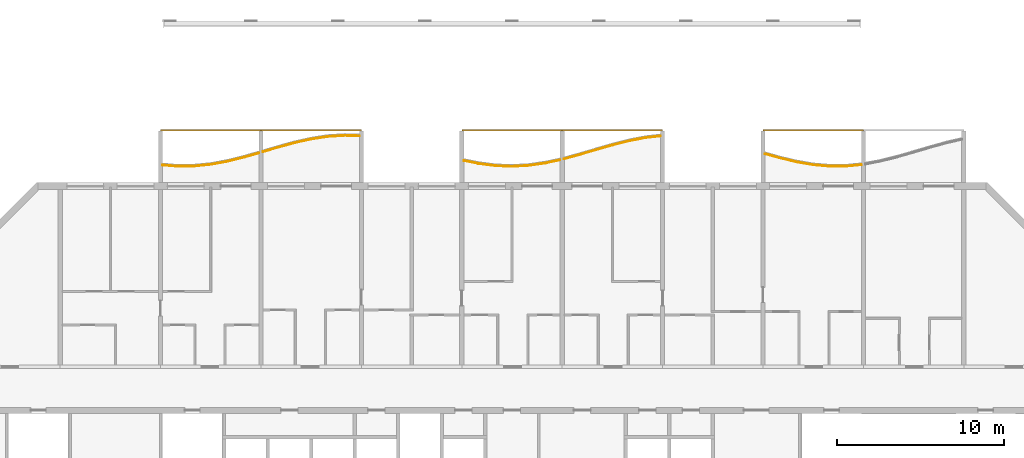
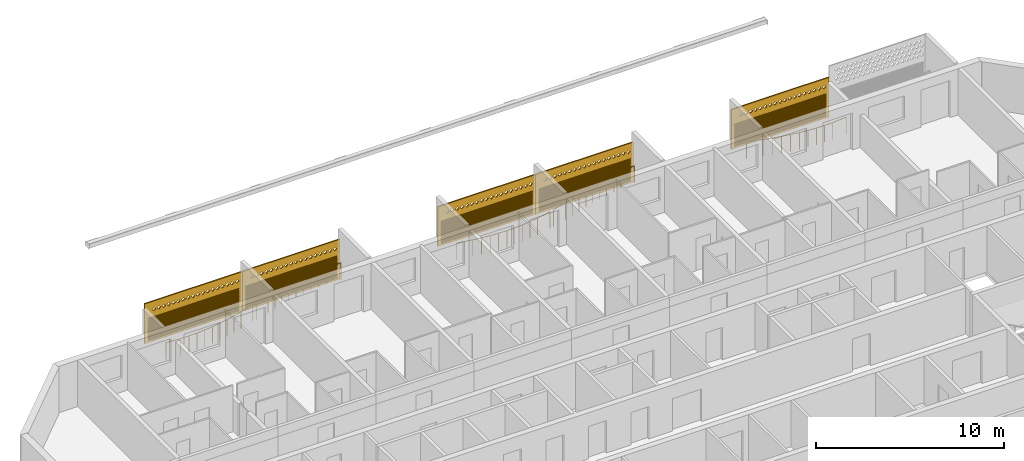
# One storey, part 18 of 20: 5 coverings, 5 railings.
"""IFC4 building model written with IfcOpenShell, lengths in metres."""

from ifc_helpers import new_model, si_unit, direction, frame, origin, origin_2d, place, context, subcontext, project, spatial, polyline, circle, outline, extrude, source, transform, mapped, material, material_profile, profile_set, type_object, element, save


model = new_model("IFC4")

# Units and contexts
model_context = context("Model", 3, precision=1e-05, world=origin(), true_north=direction((0.0, 1.0)))
body_context = subcontext(model_context, "Body", "Model", "MODEL_VIEW")
ifc_project = project(units=[si_unit("LENGTHUNIT", "METRE"), si_unit("AREAUNIT", "SQUARE_METRE"), si_unit("VOLUMEUNIT", "CUBIC_METRE"), si_unit("PLANEANGLEUNIT", "RADIAN"), si_unit("MASSUNIT", "GRAM", prefix="KILO")], contexts=[model_context])

# Site, building, storey
site_placement = place(None, origin())
site = spatial("IfcSite", under=ifc_project, at=site_placement, CompositionType="ELEMENT")
building_placement = place(site_placement, origin())
building = spatial("IfcBuilding", under=site, at=building_placement, Name="Poui Terraces", CompositionType="ELEMENT")
storey_placement = place(building_placement, frame((0.0, 0.0, 257.699951171875)))
storey = spatial("IfcBuildingStorey", under=building, at=storey_placement, Name="L72", CompositionType="ELEMENT", Elevation=257.699951171875)

# Railings
ifc_material_1 = material(Name="Painted steel fretwork", Category="steel")
railing_type = type_object("IfcRailingType", Name="BALCONY GUARD 1100", PredefinedType="GUARDRAIL", material=ifc_material_1)
railing_1_placement = place(storey_placement, frame((30.125, 42.448974609375, 0.0)))
element("IfcRailing", 1, at=railing_1_placement, inside=storey, type_object=railing_type, Name="BALCONY GUARD", PredefinedType="GUARDRAIL", context=body_context, shape_type="SweptSolid", body=[
    extrude(circle(Radius=0.02392578125, at=origin_2d()), frame((0.0, 0.0, 1.076171875), z_axis=(0.996764673802, -0.080375276431, 0.0), x_axis=(0.080375276431, 0.996764673802, 0.0)), (0.0, 0.0, 1.0), 0.8779296875),
    extrude(circle(Radius=0.02392578125, at=origin_2d()), frame((0.875, -0.070556640625, 1.076171875), z_axis=(0.999969483819, 0.007812261592, 0.0), x_axis=(-0.007812261592, 0.999969483819, 0.0)), (0.0, 0.0, 1.0), 1.0),
    extrude(circle(Radius=0.02392578125, at=origin_2d()), frame((1.875, -0.062744140625, 1.076171875), z_axis=(0.994882088655, 0.101042712129, 0.0), x_axis=(-0.101042712129, 0.994882088655, 0.0)), (0.0, 0.0, 1.0), 1.005126953125),
    extrude(circle(Radius=0.02392578125, at=origin_2d()), frame((2.875, 0.038818359375, 1.076171875), z_axis=(0.983390092547, 0.181504616691, 0.0), x_axis=(-0.181504616691, 0.983390092547, 0.0)), (0.0, 0.0, 1.0), 1.016845703125),
    extrude(circle(Radius=0.02392578125, at=origin_2d()), frame((3.875, 0.223388671875, 1.076171875), z_axis=(0.970476070643, 0.241197421854, 0.0), x_axis=(-0.241197421854, 0.970476070643, 0.0)), (0.0, 0.0, 1.0), 1.030517578125),
    extrude(circle(Radius=0.02392578125, at=origin_2d()), frame((4.875, 0.471923828125, 1.076171875), z_axis=(0.961453053843, 0.274969135097, 0.0), x_axis=(-0.274969135097, 0.961453053843, 0.0)), (0.0, 0.0, 1.0), 0.91015625),
    extrude(circle(Radius=0.02099609375, at=origin_2d()), origin(), (0.0, 0.0, 1.0), 1.052001953125),
    extrude(circle(Radius=0.02099609375, at=origin_2d()), frame((0.875, -0.070556640625, 0.0)), (0.0, 0.0, 1.0), 1.052001953125),
    extrude(circle(Radius=0.02099609375, at=origin_2d()), frame((1.375, -0.066650390625, 0.0)), (0.0, 0.0, 1.0), 1.052001953125),
    extrude(circle(Radius=0.02099609375, at=origin_2d()), frame((1.875, -0.062744140625, 0.0)), (0.0, 0.0, 1.0), 1.052001953125),
    extrude(circle(Radius=0.02099609375, at=origin_2d()), frame((2.375, -0.011962890625, 0.0)), (0.0, 0.0, 1.0), 1.052001953125),
    extrude(circle(Radius=0.02099609375, at=origin_2d()), frame((2.875, 0.038818359375, 0.0)), (0.0, 0.0, 1.0), 1.052001953125),
    extrude(circle(Radius=0.02099609375, at=origin_2d()), frame((3.375, 0.131103515625, 0.0)), (0.0, 0.0, 1.0), 1.052001953125),
    extrude(circle(Radius=0.02099609375, at=origin_2d()), frame((3.875, 0.223388671875, 0.0)), (0.0, 0.0, 1.0), 1.052001953125),
    extrude(circle(Radius=0.02099609375, at=origin_2d()), frame((4.375, 0.34765625, 0.0)), (0.0, 0.0, 1.0), 1.052001953125),
    extrude(circle(Radius=0.02099609375, at=origin_2d()), frame((4.875, 0.471923828125, 0.0)), (0.0, 0.0, 1.0), 1.052001953125),
    extrude(circle(Radius=0.02099609375, at=origin_2d()), frame((5.75, 0.72216796875, 0.0)), (0.0, 0.0, 1.0), 1.052001953125),
])
railing_2_placement = place(storey_placement, frame((36.125, 43.245361328125, 0.0)))
element("IfcRailing", 2, at=railing_2_placement, inside=storey, type_object=railing_type, Name="BALCONY GUARD", PredefinedType="GUARDRAIL", context=body_context, shape_type="SweptSolid", body=[
    extrude(circle(Radius=0.02392578125, at=origin_2d()), frame((0.0, 0.0, 1.076171875), z_axis=(0.958865561228, 0.283860591647, 0.0), x_axis=(-0.283860591647, 0.958865561228, 0.0)), (0.0, 0.0, 1.0), 0.91259765625),
    extrude(circle(Radius=0.02392578125, at=origin_2d()), frame((0.875, 0.259033203125, 1.076171875), z_axis=(0.964349713042, 0.264631122426, 0.0), x_axis=(-0.264631122426, 0.964349713042, 0.0)), (0.0, 0.0, 1.0), 1.036865234375),
    extrude(circle(Radius=0.02392578125, at=origin_2d()), frame((1.875, 0.533447265625, 1.076171875), z_axis=(0.975640353268, 0.219376163418, 0.0), x_axis=(-0.219376163418, 0.975640353268, 0.0)), (0.0, 0.0, 1.0), 1.02490234375),
    extrude(circle(Radius=0.02392578125, at=origin_2d()), frame((2.875, 0.75830078125, 1.076171875), z_axis=(0.988665614785, 0.15013428037, 0.0), x_axis=(-0.15013428037, 0.988665614785, 0.0)), (0.0, 0.0, 1.0), 1.011474609375),
    extrude(circle(Radius=0.02392578125, at=origin_2d()), frame((3.875, 0.91015625, 1.076171875), z_axis=(0.998006805525, 0.063106387361, 0.0), x_axis=(-0.063106387361, 0.998006805525, 0.0)), (0.0, 0.0, 1.0), 1.001953125),
    extrude(circle(Radius=0.02392578125, at=origin_2d()), frame((4.875, 0.973388671875, 1.076171875), z_axis=(0.999663503425, -0.025939929079, 0.0), x_axis=(0.025939929079, 0.999663503425, 0.0)), (0.0, 0.0, 1.0), 0.875244140625),
    extrude(circle(Radius=0.02099609375, at=origin_2d()), origin(), (0.0, 0.0, 1.0), 1.052001953125),
    extrude(circle(Radius=0.02099609375, at=origin_2d()), frame((0.875, 0.259033203125, 0.0)), (0.0, 0.0, 1.0), 1.052001953125),
    extrude(circle(Radius=0.02099609375, at=origin_2d()), frame((1.375, 0.396240234375, 0.0)), (0.0, 0.0, 1.0), 1.052001953125),
    extrude(circle(Radius=0.02099609375, at=origin_2d()), frame((1.875, 0.533447265625, 0.0)), (0.0, 0.0, 1.0), 1.052001953125),
    extrude(circle(Radius=0.02099609375, at=origin_2d()), frame((2.375, 0.64599609375, 0.0)), (0.0, 0.0, 1.0), 1.052001953125),
    extrude(circle(Radius=0.02099609375, at=origin_2d()), frame((2.875, 0.75830078125, 0.0)), (0.0, 0.0, 1.0), 1.052001953125),
    extrude(circle(Radius=0.02099609375, at=origin_2d()), frame((3.375, 0.834228515625, 0.0)), (0.0, 0.0, 1.0), 1.052001953125),
    extrude(circle(Radius=0.02099609375, at=origin_2d()), frame((3.875, 0.91015625, 0.0)), (0.0, 0.0, 1.0), 1.052001953125),
    extrude(circle(Radius=0.02099609375, at=origin_2d()), frame((4.375, 0.94189453125, 0.0)), (0.0, 0.0, 1.0), 1.052001953125),
    extrude(circle(Radius=0.02099609375, at=origin_2d()), frame((4.875, 0.973388671875, 0.0)), (0.0, 0.0, 1.0), 1.052001953125),
    extrude(circle(Radius=0.02099609375, at=origin_2d()), frame((5.75, 0.95068359375, 0.0)), (0.0, 0.0, 1.0), 1.052001953125),
])
railing_3_placement = place(storey_placement, frame((48.125, 42.7197265625, 0.0)))
element("IfcRailing", 3, at=railing_3_placement, inside=storey, type_object=railing_type, Name="BALCONY GUARD", PredefinedType="GUARDRAIL", context=body_context, shape_type="SweptSolid", body=[
    extrude(circle(Radius=0.02392578125, at=origin_2d()), frame((0.0, 0.0, 1.076171875), z_axis=(0.979773441626, -0.200109977475, 0.0), x_axis=(0.200109977475, 0.979773441626, 0.0)), (0.0, 0.0, 1.0), 0.89306640625),
    extrude(circle(Radius=0.02392578125, at=origin_2d()), frame((0.875, -0.1787109375, 1.076171875), z_axis=(0.991546329967, -0.129753133023, 0.0), x_axis=(0.129753133023, 0.991546329967, 0.0)), (0.0, 0.0, 1.0), 1.008544921875),
    extrude(circle(Radius=0.02392578125, at=origin_2d()), frame((1.875, -0.3095703125, 1.076171875), z_axis=(0.99920912132, -0.03976344892, 0.0), x_axis=(0.03976344892, 0.99920912132, 0.0)), (0.0, 0.0, 1.0), 1.000732421875),
    extrude(circle(Radius=0.02392578125, at=origin_2d()), frame((2.875, -0.349365234375, 1.076171875), z_axis=(0.998467844587, 0.055335009942, 0.0), x_axis=(-0.055335009942, 0.998467844587, 0.0)), (0.0, 0.0, 1.0), 1.00146484375),
    extrude(circle(Radius=0.02392578125, at=origin_2d()), frame((3.875, -0.2939453125, 1.076171875), z_axis=(0.989647671833, 0.143518241472, 0.0), x_axis=(-0.143518241472, 0.989647671833, 0.0)), (0.0, 0.0, 1.0), 1.010498046875),
    extrude(circle(Radius=0.02392578125, at=origin_2d()), frame((4.875, -0.14892578125, 1.076171875), z_axis=(0.977522146276, 0.210832762018, 0.0), x_axis=(-0.210832762018, 0.977522146276, 0.0)), (0.0, 0.0, 1.0), 0.89501953125),
    extrude(circle(Radius=0.02099609375, at=origin_2d()), origin(), (0.0, 0.0, 1.0), 1.052001953125),
    extrude(circle(Radius=0.02099609375, at=origin_2d()), frame((0.875, -0.1787109375, 0.0)), (0.0, 0.0, 1.0), 1.052001953125),
    extrude(circle(Radius=0.02099609375, at=origin_2d()), frame((1.375, -0.244140625, 0.0)), (0.0, 0.0, 1.0), 1.052001953125),
    extrude(circle(Radius=0.02099609375, at=origin_2d()), frame((1.875, -0.3095703125, 0.0)), (0.0, 0.0, 1.0), 1.052001953125),
    extrude(circle(Radius=0.02099609375, at=origin_2d()), frame((2.375, -0.32958984375, 0.0)), (0.0, 0.0, 1.0), 1.052001953125),
    extrude(circle(Radius=0.02099609375, at=origin_2d()), frame((2.875, -0.349365234375, 0.0)), (0.0, 0.0, 1.0), 1.052001953125),
    extrude(circle(Radius=0.02099609375, at=origin_2d()), frame((3.375, -0.32177734375, 0.0)), (0.0, 0.0, 1.0), 1.052001953125),
    extrude(circle(Radius=0.02099609375, at=origin_2d()), frame((3.875, -0.2939453125, 0.0)), (0.0, 0.0, 1.0), 1.052001953125),
    extrude(circle(Radius=0.02099609375, at=origin_2d()), frame((4.375, -0.221435546875, 0.0)), (0.0, 0.0, 1.0), 1.052001953125),
    extrude(circle(Radius=0.02099609375, at=origin_2d()), frame((4.875, -0.14892578125, 0.0)), (0.0, 0.0, 1.0), 1.052001953125),
    extrude(circle(Radius=0.02099609375, at=origin_2d()), frame((5.75, 0.039794921875, 0.0)), (0.0, 0.0, 1.0), 1.052001953125),
])
railing_4_placement = place(storey_placement, frame((54.125, 42.82177734375, 0.0)))
element("IfcRailing", 4, at=railing_4_placement, inside=storey, type_object=railing_type, Name="BALCONY GUARD", PredefinedType="GUARDRAIL", context=body_context, shape_type="SweptSolid", body=[
    extrude(circle(Radius=0.02392578125, at=origin_2d()), frame((0.0, 0.0, 1.076171875), z_axis=(0.964452650042, 0.264255720519, 0.0), x_axis=(-0.264255720519, 0.964452650042, 0.0)), (0.0, 0.0, 1.0), 0.9072265625),
    extrude(circle(Radius=0.02392578125, at=origin_2d()), frame((0.875, 0.23974609375, 1.076171875), z_axis=(0.959029275123, 0.283306988012, 0.0), x_axis=(-0.283306988012, 0.959029275123, 0.0)), (0.0, 0.0, 1.0), 1.042724609375),
    extrude(circle(Radius=0.02392578125, at=origin_2d()), frame((1.875, 0.53515625, 1.076171875), z_axis=(0.960669700127, 0.277693585193, 0.0), x_axis=(-0.277693585193, 0.960669700127, 0.0)), (0.0, 0.0, 1.0), 1.041015625),
    extrude(circle(Radius=0.02392578125, at=origin_2d()), frame((2.875, 0.82421875, 1.076171875), z_axis=(0.969470524151, 0.245207876714, 0.0), x_axis=(-0.245207876714, 0.969470524151, 0.0)), (0.0, 0.0, 1.0), 1.031494140625),
    extrude(circle(Radius=0.02392578125, at=origin_2d()), frame((3.875, 1.0771484375, 1.076171875), z_axis=(0.982258715668, 0.187530838782, 0.0), x_axis=(-0.187530838782, 0.982258715668, 0.0)), (0.0, 0.0, 1.0), 1.01806640625),
    extrude(circle(Radius=0.02392578125, at=origin_2d()), frame((4.875, 1.26806640625, 1.076171875), z_axis=(0.99348881845, 0.113929660821, 0.0), x_axis=(-0.113929660821, 0.99348881845, 0.0)), (0.0, 0.0, 1.0), 0.880615234375),
    extrude(circle(Radius=0.02099609375, at=origin_2d()), origin(), (0.0, 0.0, 1.0), 1.052001953125),
    extrude(circle(Radius=0.02099609375, at=origin_2d()), frame((0.875, 0.23974609375, 0.0)), (0.0, 0.0, 1.0), 1.052001953125),
    extrude(circle(Radius=0.02099609375, at=origin_2d()), frame((1.375, 0.387451171875, 0.0)), (0.0, 0.0, 1.0), 1.052001953125),
    extrude(circle(Radius=0.02099609375, at=origin_2d()), frame((1.875, 0.53515625, 0.0)), (0.0, 0.0, 1.0), 1.052001953125),
    extrude(circle(Radius=0.02099609375, at=origin_2d()), frame((2.375, 0.6796875, 0.0)), (0.0, 0.0, 1.0), 1.052001953125),
    extrude(circle(Radius=0.02099609375, at=origin_2d()), frame((2.875, 0.82421875, 0.0)), (0.0, 0.0, 1.0), 1.052001953125),
    extrude(circle(Radius=0.02099609375, at=origin_2d()), frame((3.375, 0.95068359375, 0.0)), (0.0, 0.0, 1.0), 1.052001953125),
    extrude(circle(Radius=0.02099609375, at=origin_2d()), frame((3.875, 1.0771484375, 0.0)), (0.0, 0.0, 1.0), 1.052001953125),
    extrude(circle(Radius=0.02099609375, at=origin_2d()), frame((4.375, 1.172607421875, 0.0)), (0.0, 0.0, 1.0), 1.052001953125),
    extrude(circle(Radius=0.02099609375, at=origin_2d()), frame((4.875, 1.26806640625, 0.0)), (0.0, 0.0, 1.0), 1.052001953125),
    extrude(circle(Radius=0.02099609375, at=origin_2d()), frame((5.75, 1.368408203125, 0.0)), (0.0, 0.0, 1.0), 1.052001953125),
])
railing_5_placement = place(storey_placement, frame((66.125, 43.122314453125, 0.0)))
element("IfcRailing", 5, at=railing_5_placement, inside=storey, type_object=railing_type, Name="BALCONY GUARD", PredefinedType="GUARDRAIL", context=body_context, shape_type="SweptSolid", body=[
    extrude(circle(Radius=0.02392578125, at=origin_2d()), frame((0.0, 0.0, 1.076171875), z_axis=(0.962650940154, -0.270745576918, 0.0), x_axis=(0.270745576918, 0.962650940154, 0.0)), (0.0, 0.0, 1.0), 0.908935546875),
    extrude(circle(Radius=0.02392578125, at=origin_2d()), frame((0.875, -0.24609375, 1.076171875), z_axis=(0.972497106951, -0.232914956523, 0.0), x_axis=(0.232914956523, 0.972497106951, 0.0)), (0.0, 0.0, 1.0), 1.0283203125),
    extrude(circle(Radius=0.02392578125, at=origin_2d()), frame((1.875, -0.485595703125, 1.076171875), z_axis=(0.985508696036, -0.16962490984, 0.0), x_axis=(0.16962490984, 0.985508696036, 0.0)), (0.0, 0.0, 1.0), 1.0146484375),
    extrude(circle(Radius=0.02392578125, at=origin_2d()), frame((2.875, -0.65771484375, 1.076171875), z_axis=(0.996306921854, -0.085863365091, 0.0), x_axis=(0.085863365091, 0.996306921854, 0.0)), (0.0, 0.0, 1.0), 1.003662109375),
    extrude(circle(Radius=0.02392578125, at=origin_2d()), frame((3.875, -0.743896484375, 1.076171875), z_axis=(0.999969483819, 0.007812261592, 0.0), x_axis=(-0.007812261592, 0.999969483819, 0.0)), (0.0, 0.0, 1.0), 1.0),
    extrude(circle(Radius=0.02392578125, at=origin_2d()), frame((4.875, -0.736083984375, 1.076171875), z_axis=(0.995425298545, 0.095543053209, 0.0), x_axis=(-0.095543053209, 0.995425298545, 0.0)), (0.0, 0.0, 1.0), 0.87890625),
    extrude(circle(Radius=0.02099609375, at=origin_2d()), origin(), (0.0, 0.0, 1.0), 1.052001953125),
    extrude(circle(Radius=0.02099609375, at=origin_2d()), frame((0.875, -0.24609375, 0.0)), (0.0, 0.0, 1.0), 1.052001953125),
    extrude(circle(Radius=0.02099609375, at=origin_2d()), frame((1.375, -0.36572265625, 0.0)), (0.0, 0.0, 1.0), 1.052001953125),
    extrude(circle(Radius=0.02099609375, at=origin_2d()), frame((1.875, -0.485595703125, 0.0)), (0.0, 0.0, 1.0), 1.052001953125),
    extrude(circle(Radius=0.02099609375, at=origin_2d()), frame((2.375, -0.57177734375, 0.0)), (0.0, 0.0, 1.0), 1.052001953125),
    extrude(circle(Radius=0.02099609375, at=origin_2d()), frame((2.875, -0.65771484375, 0.0)), (0.0, 0.0, 1.0), 1.052001953125),
    extrude(circle(Radius=0.02099609375, at=origin_2d()), frame((3.375, -0.70068359375, 0.0)), (0.0, 0.0, 1.0), 1.052001953125),
    extrude(circle(Radius=0.02099609375, at=origin_2d()), frame((3.875, -0.743896484375, 0.0)), (0.0, 0.0, 1.0), 1.052001953125),
    extrude(circle(Radius=0.02099609375, at=origin_2d()), frame((4.375, -0.739990234375, 0.0)), (0.0, 0.0, 1.0), 1.052001953125),
    extrude(circle(Radius=0.02099609375, at=origin_2d()), frame((4.875, -0.736083984375, 0.0)), (0.0, 0.0, 1.0), 1.052001953125),
    extrude(circle(Radius=0.02099609375, at=origin_2d()), frame((5.75, -0.652099609375, 0.0)), (0.0, 0.0, 1.0), 1.052001953125),
])

# Coverings
ifc_material_2 = material(Name="Terracotta screen", Category="masonry")
ifc_material_profile = material_profile(ifc_material_2, outline(polyline([(-3.0, -1.2900390625), (3.0, -1.2900390625), (3.0, 1.2900390625), (-3.0, 1.2900390625), (-3.0, -1.2900390625)]), holes=[polyline([(-2.800048828125, 0.760009765625), (-2.68994140625, 0.64990234375), (-2.580078125, 0.760009765625), (-2.68994140625, 0.8701171875), (-2.800048828125, 0.760009765625)]), polyline([(-2.5, 0.760009765625), (-2.389892578125, 0.64990234375), (-2.280029296875, 0.760009765625), (-2.389892578125, 0.8701171875), (-2.5, 0.760009765625)]), polyline([(-2.199951171875, 0.760009765625), (-2.090087890625, 0.64990234375), (-1.97998046875, 0.760009765625), (-2.090087890625, 0.8701171875), (-2.199951171875, 0.760009765625)]), polyline([(-1.89990234375, 0.760009765625), (-1.7900390625, 0.64990234375), (-1.679931640625, 0.760009765625), (-1.7900390625, 0.8701171875), (-1.89990234375, 0.760009765625)]), polyline([(-1.60009765625, 0.760009765625), (-1.489990234375, 0.64990234375), (-1.3798828125, 0.760009765625), (-1.489990234375, 0.8701171875), (-1.60009765625, 0.760009765625)]), polyline([(-1.300048828125, 0.760009765625), (-1.18994140625, 0.64990234375), (-1.080078125, 0.760009765625), (-1.18994140625, 0.8701171875), (-1.300048828125, 0.760009765625)]), polyline([(-1.0, 0.760009765625), (-0.889892578125, 0.64990234375), (-0.780029296875, 0.760009765625), (-0.889892578125, 0.8701171875), (-1.0, 0.760009765625)]), polyline([(-0.699951171875, 0.760009765625), (-0.590087890625, 0.64990234375), (-0.47998046875, 0.760009765625), (-0.590087890625, 0.8701171875), (-0.699951171875, 0.760009765625)]), polyline([(-0.39990234375, 0.760009765625), (-0.2900390625, 0.64990234375), (-0.179931640625, 0.760009765625), (-0.2900390625, 0.8701171875), (-0.39990234375, 0.760009765625)]), polyline([(-0.10009765625, 0.760009765625), (0.010009765625, 0.64990234375), (0.1201171875, 0.760009765625), (0.010009765625, 0.8701171875), (-0.10009765625, 0.760009765625)]), polyline([(0.199951171875, 0.760009765625), (0.31005859375, 0.64990234375), (0.419921875, 0.760009765625), (0.31005859375, 0.8701171875), (0.199951171875, 0.760009765625)]), polyline([(0.5, 0.760009765625), (0.610107421875, 0.64990234375), (0.719970703125, 0.760009765625), (0.610107421875, 0.8701171875), (0.5, 0.760009765625)]), polyline([(0.800048828125, 0.760009765625), (0.909912109375, 0.64990234375), (1.02001953125, 0.760009765625), (0.909912109375, 0.8701171875), (0.800048828125, 0.760009765625)]), polyline([(1.10009765625, 0.760009765625), (1.2099609375, 0.64990234375), (1.320068359375, 0.760009765625), (1.2099609375, 0.8701171875), (1.10009765625, 0.760009765625)]), polyline([(1.39990234375, 0.760009765625), (1.510009765625, 0.64990234375), (1.6201171875, 0.760009765625), (1.510009765625, 0.8701171875), (1.39990234375, 0.760009765625)]), polyline([(1.699951171875, 0.760009765625), (1.81005859375, 0.64990234375), (1.919921875, 0.760009765625), (1.81005859375, 0.8701171875), (1.699951171875, 0.760009765625)]), polyline([(2.0, 0.760009765625), (2.110107421875, 0.64990234375), (2.219970703125, 0.760009765625), (2.110107421875, 0.8701171875), (2.0, 0.760009765625)]), polyline([(2.300048828125, 0.760009765625), (2.409912109375, 0.64990234375), (2.52001953125, 0.760009765625), (2.409912109375, 0.8701171875), (2.300048828125, 0.760009765625)]), polyline([(-2.800048828125, -1.169921875), (2.800048828125, -1.169921875), (2.800048828125, -1.110107421875), (-2.800048828125, -1.110107421875), (-2.800048828125, -1.169921875)]), polyline([(-2.800048828125, -1.070068359375), (2.800048828125, -1.070068359375), (2.800048828125, -1.010009765625), (-2.800048828125, -1.010009765625), (-2.800048828125, -1.070068359375)]), polyline([(-2.800048828125, -0.969970703125), (2.800048828125, -0.969970703125), (2.800048828125, -0.909912109375), (-2.800048828125, -0.909912109375), (-2.800048828125, -0.969970703125)]), polyline([(-2.800048828125, -0.8701171875), (2.800048828125, -0.8701171875), (2.800048828125, -0.81005859375), (-2.800048828125, -0.81005859375), (-2.800048828125, -0.8701171875)]), polyline([(-2.800048828125, -0.77001953125), (2.800048828125, -0.77001953125), (2.800048828125, -0.7099609375), (-2.800048828125, -0.7099609375), (-2.800048828125, -0.77001953125)]), polyline([(-2.800048828125, -0.669921875), (2.800048828125, -0.669921875), (2.800048828125, -0.610107421875), (-2.800048828125, -0.610107421875), (-2.800048828125, -0.669921875)]), polyline([(-2.800048828125, -0.570068359375), (2.800048828125, -0.570068359375), (2.800048828125, -0.510009765625), (-2.800048828125, -0.510009765625), (-2.800048828125, -0.570068359375)]), polyline([(-2.800048828125, -0.469970703125), (2.800048828125, -0.469970703125), (2.800048828125, -0.409912109375), (-2.800048828125, -0.409912109375), (-2.800048828125, -0.469970703125)]), polyline([(-2.800048828125, -0.3701171875), (2.800048828125, -0.3701171875), (2.800048828125, -0.31005859375), (-2.800048828125, -0.31005859375), (-2.800048828125, -0.3701171875)]), polyline([(-2.800048828125, -0.27001953125), (2.800048828125, -0.27001953125), (2.800048828125, -0.2099609375), (-2.800048828125, -0.2099609375), (-2.800048828125, -0.27001953125)]), polyline([(-2.800048828125, -0.169921875), (2.800048828125, -0.169921875), (2.800048828125, -0.110107421875), (-2.800048828125, -0.110107421875), (-2.800048828125, -0.169921875)]), polyline([(-2.800048828125, -0.070068359375), (2.800048828125, -0.070068359375), (2.800048828125, -0.010009765625), (-2.800048828125, -0.010009765625), (-2.800048828125, -0.070068359375)]), polyline([(-2.800048828125, 0.030029296875), (2.800048828125, 0.030029296875), (2.800048828125, 0.090087890625), (-2.800048828125, 0.090087890625), (-2.800048828125, 0.030029296875)]), polyline([(-2.800048828125, 0.1298828125), (2.800048828125, 0.1298828125), (2.800048828125, 0.18994140625), (-2.800048828125, 0.18994140625), (-2.800048828125, 0.1298828125)]), polyline([(-2.800048828125, 0.22998046875), (2.800048828125, 0.22998046875), (2.800048828125, 0.2900390625), (-2.800048828125, 0.2900390625), (-2.800048828125, 0.22998046875)])]), Name="TERRACOTTA SCREEN AND JALOUSIE LOUVRE 6000X2580")
ifc_profile_set = profile_set([ifc_material_profile], Name="Terracotta screen")
covering_type = type_object("IfcCoveringType", Name="TERRACOTTA SCREEN AND JALOUSIE LOUVRE 6000X2580", PredefinedType="CLADDING", material=ifc_profile_set)
shared_shape = source(origin(), body_context, "Body", "SweptSolid", [
    extrude(outline(polyline([(-3.0, -1.2900390625), (3.0, -1.2900390625), (3.0, 1.2900390625), (-3.0, 1.2900390625), (-3.0, -1.2900390625)]), holes=[polyline([(-2.800048828125, 0.760009765625), (-2.68994140625, 0.64990234375), (-2.580078125, 0.760009765625), (-2.68994140625, 0.8701171875), (-2.800048828125, 0.760009765625)]), polyline([(-2.5, 0.760009765625), (-2.389892578125, 0.64990234375), (-2.280029296875, 0.760009765625), (-2.389892578125, 0.8701171875), (-2.5, 0.760009765625)]), polyline([(-2.199951171875, 0.760009765625), (-2.090087890625, 0.64990234375), (-1.97998046875, 0.760009765625), (-2.090087890625, 0.8701171875), (-2.199951171875, 0.760009765625)]), polyline([(-1.89990234375, 0.760009765625), (-1.7900390625, 0.64990234375), (-1.679931640625, 0.760009765625), (-1.7900390625, 0.8701171875), (-1.89990234375, 0.760009765625)]), polyline([(-1.60009765625, 0.760009765625), (-1.489990234375, 0.64990234375), (-1.3798828125, 0.760009765625), (-1.489990234375, 0.8701171875), (-1.60009765625, 0.760009765625)]), polyline([(-1.300048828125, 0.760009765625), (-1.18994140625, 0.64990234375), (-1.080078125, 0.760009765625), (-1.18994140625, 0.8701171875), (-1.300048828125, 0.760009765625)]), polyline([(-1.0, 0.760009765625), (-0.889892578125, 0.64990234375), (-0.780029296875, 0.760009765625), (-0.889892578125, 0.8701171875), (-1.0, 0.760009765625)]), polyline([(-0.699951171875, 0.760009765625), (-0.590087890625, 0.64990234375), (-0.47998046875, 0.760009765625), (-0.590087890625, 0.8701171875), (-0.699951171875, 0.760009765625)]), polyline([(-0.39990234375, 0.760009765625), (-0.2900390625, 0.64990234375), (-0.179931640625, 0.760009765625), (-0.2900390625, 0.8701171875), (-0.39990234375, 0.760009765625)]), polyline([(-0.10009765625, 0.760009765625), (0.010009765625, 0.64990234375), (0.1201171875, 0.760009765625), (0.010009765625, 0.8701171875), (-0.10009765625, 0.760009765625)]), polyline([(0.199951171875, 0.760009765625), (0.31005859375, 0.64990234375), (0.419921875, 0.760009765625), (0.31005859375, 0.8701171875), (0.199951171875, 0.760009765625)]), polyline([(0.5, 0.760009765625), (0.610107421875, 0.64990234375), (0.719970703125, 0.760009765625), (0.610107421875, 0.8701171875), (0.5, 0.760009765625)]), polyline([(0.800048828125, 0.760009765625), (0.909912109375, 0.64990234375), (1.02001953125, 0.760009765625), (0.909912109375, 0.8701171875), (0.800048828125, 0.760009765625)]), polyline([(1.10009765625, 0.760009765625), (1.2099609375, 0.64990234375), (1.320068359375, 0.760009765625), (1.2099609375, 0.8701171875), (1.10009765625, 0.760009765625)]), polyline([(1.39990234375, 0.760009765625), (1.510009765625, 0.64990234375), (1.6201171875, 0.760009765625), (1.510009765625, 0.8701171875), (1.39990234375, 0.760009765625)]), polyline([(1.699951171875, 0.760009765625), (1.81005859375, 0.64990234375), (1.919921875, 0.760009765625), (1.81005859375, 0.8701171875), (1.699951171875, 0.760009765625)]), polyline([(2.0, 0.760009765625), (2.110107421875, 0.64990234375), (2.219970703125, 0.760009765625), (2.110107421875, 0.8701171875), (2.0, 0.760009765625)]), polyline([(2.300048828125, 0.760009765625), (2.409912109375, 0.64990234375), (2.52001953125, 0.760009765625), (2.409912109375, 0.8701171875), (2.300048828125, 0.760009765625)]), polyline([(-2.800048828125, -1.169921875), (2.800048828125, -1.169921875), (2.800048828125, -1.110107421875), (-2.800048828125, -1.110107421875), (-2.800048828125, -1.169921875)]), polyline([(-2.800048828125, -1.070068359375), (2.800048828125, -1.070068359375), (2.800048828125, -1.010009765625), (-2.800048828125, -1.010009765625), (-2.800048828125, -1.070068359375)]), polyline([(-2.800048828125, -0.969970703125), (2.800048828125, -0.969970703125), (2.800048828125, -0.909912109375), (-2.800048828125, -0.909912109375), (-2.800048828125, -0.969970703125)]), polyline([(-2.800048828125, -0.8701171875), (2.800048828125, -0.8701171875), (2.800048828125, -0.81005859375), (-2.800048828125, -0.81005859375), (-2.800048828125, -0.8701171875)]), polyline([(-2.800048828125, -0.77001953125), (2.800048828125, -0.77001953125), (2.800048828125, -0.7099609375), (-2.800048828125, -0.7099609375), (-2.800048828125, -0.77001953125)]), polyline([(-2.800048828125, -0.669921875), (2.800048828125, -0.669921875), (2.800048828125, -0.610107421875), (-2.800048828125, -0.610107421875), (-2.800048828125, -0.669921875)]), polyline([(-2.800048828125, -0.570068359375), (2.800048828125, -0.570068359375), (2.800048828125, -0.510009765625), (-2.800048828125, -0.510009765625), (-2.800048828125, -0.570068359375)]), polyline([(-2.800048828125, -0.469970703125), (2.800048828125, -0.469970703125), (2.800048828125, -0.409912109375), (-2.800048828125, -0.409912109375), (-2.800048828125, -0.469970703125)]), polyline([(-2.800048828125, -0.3701171875), (2.800048828125, -0.3701171875), (2.800048828125, -0.31005859375), (-2.800048828125, -0.31005859375), (-2.800048828125, -0.3701171875)]), polyline([(-2.800048828125, -0.27001953125), (2.800048828125, -0.27001953125), (2.800048828125, -0.2099609375), (-2.800048828125, -0.2099609375), (-2.800048828125, -0.27001953125)]), polyline([(-2.800048828125, -0.169921875), (2.800048828125, -0.169921875), (2.800048828125, -0.110107421875), (-2.800048828125, -0.110107421875), (-2.800048828125, -0.169921875)]), polyline([(-2.800048828125, -0.070068359375), (2.800048828125, -0.070068359375), (2.800048828125, -0.010009765625), (-2.800048828125, -0.010009765625), (-2.800048828125, -0.070068359375)]), polyline([(-2.800048828125, 0.030029296875), (2.800048828125, 0.030029296875), (2.800048828125, 0.090087890625), (-2.800048828125, 0.090087890625), (-2.800048828125, 0.030029296875)]), polyline([(-2.800048828125, 0.1298828125), (2.800048828125, 0.1298828125), (2.800048828125, 0.18994140625), (-2.800048828125, 0.18994140625), (-2.800048828125, 0.1298828125)]), polyline([(-2.800048828125, 0.22998046875), (2.800048828125, 0.22998046875), (2.800048828125, 0.2900390625), (-2.800048828125, 0.2900390625), (-2.800048828125, 0.22998046875)])]), origin(), (0.0, 0.0, 1.0), 0.080078125),
])
for number, where, z_axis, x_axis, name in (
    (6, (33.0, 44.5, 1.090087890625), (0.0, 1.0, 0.0), (-1.0, 0.0, 0.0), "SOLAR SCREEN AND JALOUSIE LOUVRE"),
    (7, (39.0, 44.5, 1.090087890625), (0.0, 1.0, 0.0), (-1.0, 0.0, 0.0), "SOLAR SCREEN AND JALOUSIE LOUVRE"),
    (8, (51.0, 44.5, 1.090087890625), (0.0, 1.0, 0.0), (-1.0, 0.0, 0.0), "SOLAR SCREEN AND JALOUSIE LOUVRE"),
    (9, (57.0, 44.5, 1.090087890625), (0.0, 1.0, 0.0), (-1.0, 0.0, 0.0), "SOLAR SCREEN AND JALOUSIE LOUVRE"),
    (10, (69.0, 44.5, 1.090087890625), (0.0, 1.0, 0.0), (-1.0, 0.0, 0.0), "SOLAR SCREEN AND JALOUSIE LOUVRE"),
):
    element("IfcCovering", number, at=place(storey_placement, frame(where, z_axis=z_axis, x_axis=x_axis)), inside=storey, type_object=covering_type, Name=name, PredefinedType="CLADDING", context=body_context, shape_type="MappedRepresentation", body=[
        mapped(shared_shape, transform((0.0, 0.0, 0.0))),
    ])

save(model, "model.ifc")
